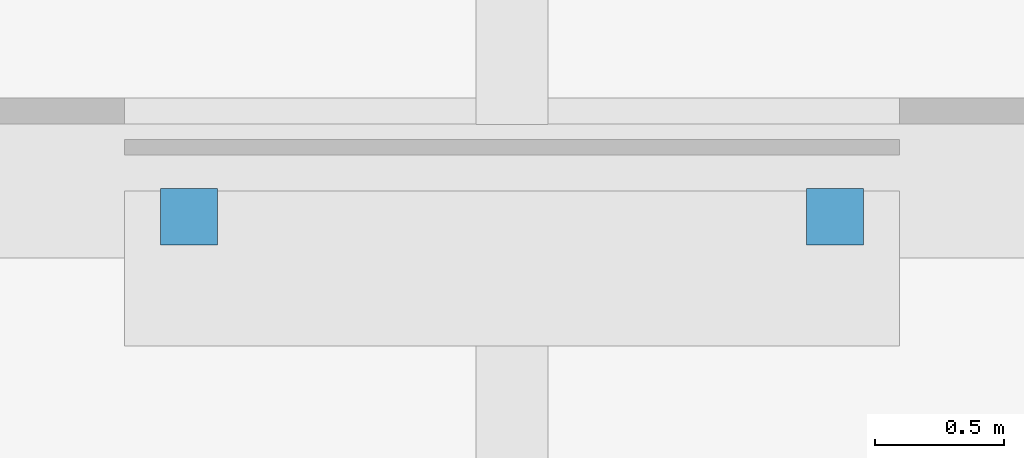
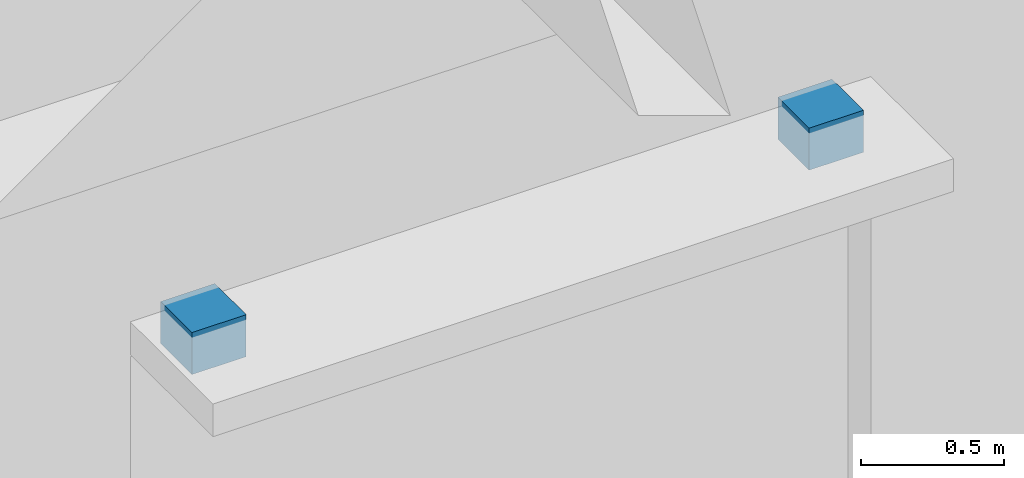
# One storey, part 97 of 121: 2 discrete accessories.
"""IFC4 building model written with IfcOpenShell, lengths in metres."""

from ifc_helpers import new_model, si_unit, direction, frame, origin, origin_2d, place, context, subcontext, project, spatial, rectangle, extrude, material, type_object, element, save


model = new_model("IFC4")

# Units and contexts
model_context = context("Model", 3, precision=1e-05, world=origin(), true_north=direction((0.0, 1.0)))
body_context = subcontext(model_context, "Body", "Model", "MODEL_VIEW")
ifc_project = project(units=[si_unit("LENGTHUNIT", "METRE"), si_unit("AREAUNIT", "SQUARE_METRE"), si_unit("VOLUMEUNIT", "CUBIC_METRE"), si_unit("PLANEANGLEUNIT", "RADIAN"), si_unit("MASSUNIT", "GRAM", prefix="KILO")], contexts=[model_context])

# Site, building, storey
site_placement = place(None, origin())
site = spatial("IfcSite", under=ifc_project, at=site_placement, CompositionType="ELEMENT")
building_placement = place(site_placement, origin())
building = spatial("IfcBuilding", under=site, at=building_placement, Name="Malvenik Polytechnic", CompositionType="ELEMENT")
storey_placement = place(building_placement, origin())
storey = spatial("IfcBuildingStorey", under=building, at=storey_placement, Name="L00", CompositionType="ELEMENT", Elevation=0.0)

# Discrete accessories
ifc_material = material(Name="Stainless steel 1.4401 thermal-break facade bracket", Category="steel")
discrete_accessory_type = type_object("IfcDiscreteAccessoryType", Name="ARC-ACC-BRACKET", PredefinedType="BRACKET", material=ifc_material)
for number, where, z_axis, x_axis, name in (
    (1, (131.449951171875, 115.10009765625, 3.0400390625), (0.0, 0.0, 1.0), (1.0, 0.0, 0.0), "Sunshade Facade Bracket BK-01 #14.1"),
    (2, (128.949951171875, 115.10009765625, 3.0400390625), (0.0, 0.0, 1.0), (1.0, 0.0, 0.0), "Sunshade Facade Bracket BK-01 #14.2"),
):
    element("IfcDiscreteAccessory", number, at=place(storey_placement, frame(where, z_axis=z_axis, x_axis=x_axis)), inside=storey, type_object=discrete_accessory_type, Name=name, PredefinedType="BRACKET", context=body_context, shape_type="SweptSolid", body=[
        extrude(rectangle(XDim=0.219970703125, YDim=0.219970703125, at=origin_2d()), origin(), (0.0, 0.0, 1.0), 0.179931640625),
    ])

save(model, "model.ifc")
